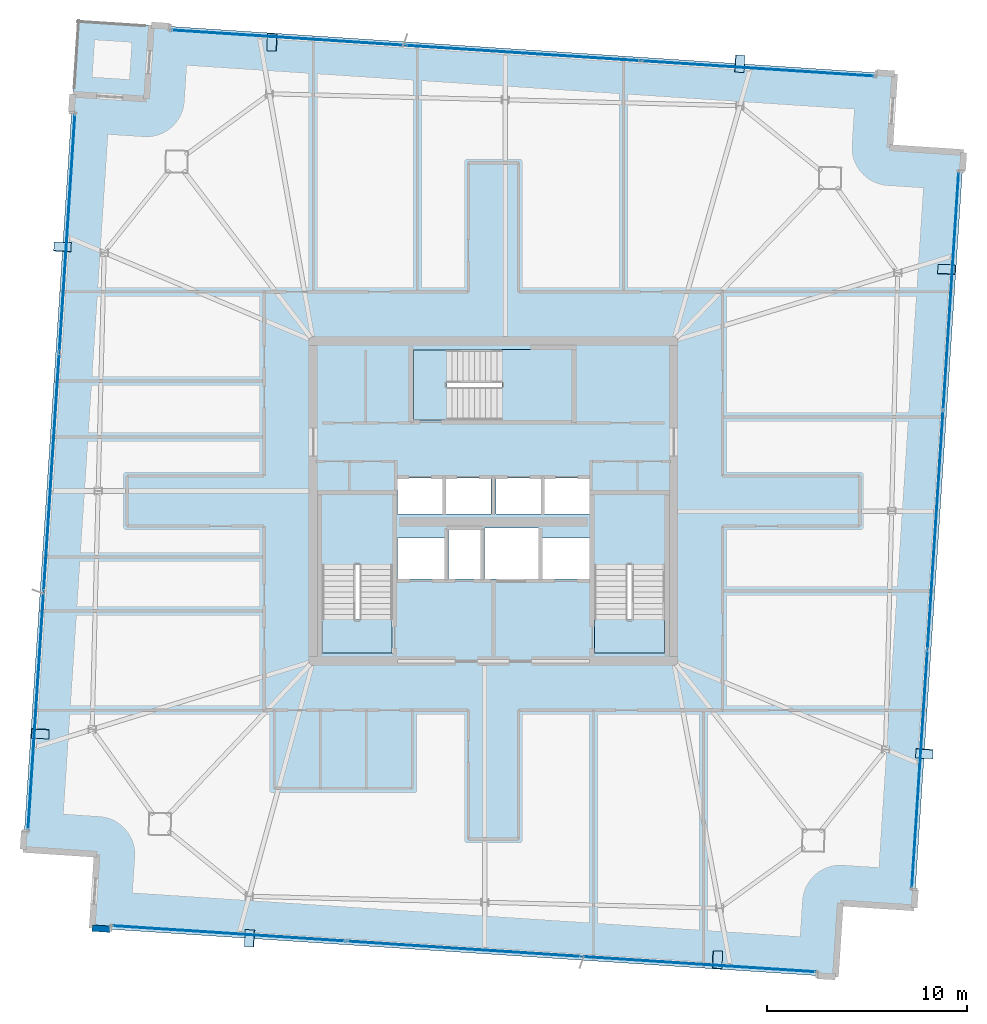
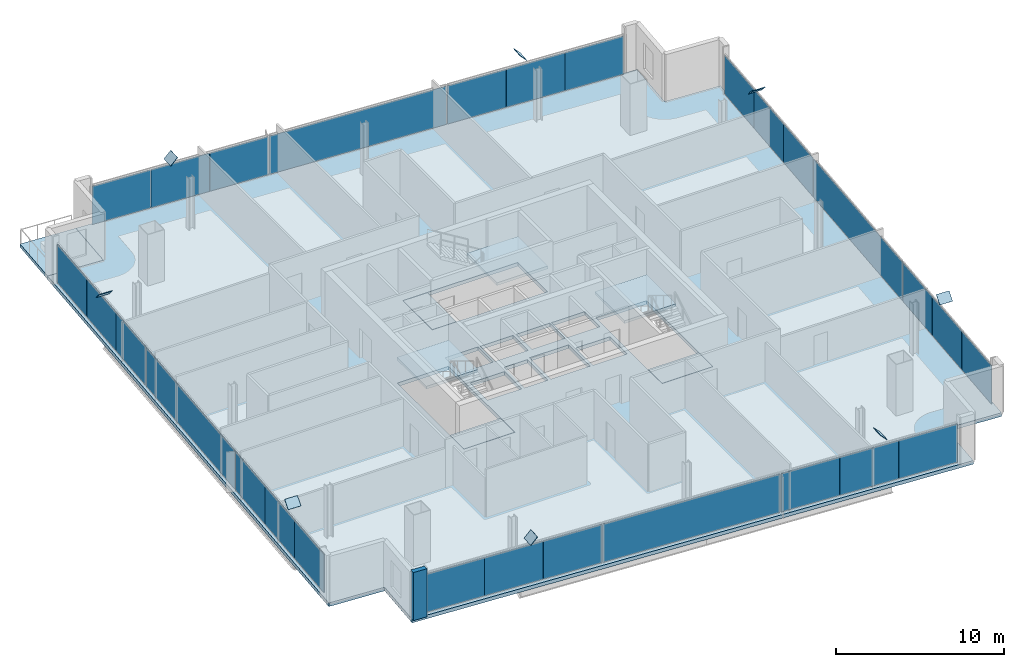
# One storey, part 17 of 24: 36 plates, 8 slabs, 1 wall, 7 elements without a shape of their own.
"""IFC4 building model written with IfcOpenShell, lengths in metres."""

import ifcopenshell
import ifcopenshell.guid

model = None  # the IFC model being written
_history = None  # IfcOwnerHistory: only IFC2X3 demands one
_inside = {}  # id of a spatial element -> (the spatial element, [elements in it])
_under = {}  # id of a project, library or spatial element -> (it, [spatial elements below it])
_declared = {}  # id of a project -> (the project, [libraries it declares])
_typed = {}  # id of a type object -> (the type object, [elements of that type])
_made_of = {}  # id of a material, layer set ... -> (it, [elements and type objects made of it])


def new_model(schema):
    """Start an empty IFC model of exactly this schema.

    Asked for "IFC4X3", IfcOpenShell would pick the latest addendum, in which some entities
    have other attributes; the version numbers below select the first issue.
    IFC2X3 requires an IfcOwnerHistory on every rooted entity: one is made here for all.
    """
    global model, _history
    if schema == "IFC4X3":
        model = ifcopenshell.file(schema_version=(4, 3, 0, 0))
    else:
        model = ifcopenshell.file(schema=schema)
    _inside.clear()
    _under.clear()
    _declared.clear()
    _typed.clear()
    _made_of.clear()
    _history = None
    if model.schema == "IFC2X3":
        org = make("IfcOrganization", Name="unknown")
        user = make(
            "IfcPersonAndOrganization",
            ThePerson=make("IfcPerson", FamilyName="unknown"),
            TheOrganization=org,
        )
        app = make(
            "IfcApplication",
            ApplicationDeveloper=org,
            Version="unknown",
            ApplicationFullName="unknown",
            ApplicationIdentifier="unknown",
        )
        _history = make(
            "IfcOwnerHistory",
            OwningUser=user,
            OwningApplication=app,
            ChangeAction="ADDED",
            CreationDate=0,
        )
    return model


def make(cls, **values):
    """One entity of the class cls with the attributes given. An attribute that is None is left unset."""
    return model.create_entity(
        cls, **{name: value for name, value in values.items() if value is not None}
    )


def rooted(cls, **values):
    """An entity with a GlobalId (a new one), such as an element, a storey or a relation."""
    return make(cls, GlobalId=ifcopenshell.guid.new(), OwnerHistory=_history, **values)


def si_unit(unit_type, name, prefix=None):
    """IfcSIUnit, for example si_unit("LENGTHUNIT", "METRE", prefix="MILLI")."""
    return make("IfcSIUnit", UnitType=unit_type, Prefix=prefix, Name=name)


def assignment(units):
    """IfcUnitAssignment: the units of a project."""
    return None if units is None else make("IfcUnitAssignment", Units=units)


def point(xyz):
    """IfcCartesianPoint."""
    return None if xyz is None else make("IfcCartesianPoint", Coordinates=xyz)


def direction(xyz):
    """IfcDirection."""
    return None if xyz is None else make("IfcDirection", DirectionRatios=xyz)


def frame(location, z_axis=None, x_axis=None):
    """IfcAxis2Placement3D, a coordinate frame: its origin and axes. An axis left out is left unset."""
    return make(
        "IfcAxis2Placement3D",
        Location=point(location),
        Axis=direction(z_axis),
        RefDirection=direction(x_axis),
    )


def frame_2d(location, x_axis=None):
    """IfcAxis2Placement2D, a coordinate frame in the plane: its origin and x axis."""
    return make(
        "IfcAxis2Placement2D", Location=point(location), RefDirection=direction(x_axis)
    )


def origin():
    """The frame at (0, 0, 0) with its axes left unset."""
    return frame((0.0, 0.0, 0.0))


def origin_2d():
    """The frame at (0, 0) in the plane with its x axis left unset."""
    return frame_2d((0.0, 0.0))


def place(relative_to, where):
    """IfcLocalPlacement: puts the frame where relative to a parent placement (None: the world)."""
    return make(
        "IfcLocalPlacement", PlacementRelTo=relative_to, RelativePlacement=where
    )


def context(
    kind, dimensions, precision=None, world=None, true_north=None, identifier=None
):
    """IfcGeometricRepresentationContext, for example the 3D "Model" context."""
    return make(
        "IfcGeometricRepresentationContext",
        ContextIdentifier=identifier,
        ContextType=kind,
        CoordinateSpaceDimension=dimensions,
        Precision=precision,
        WorldCoordinateSystem=world,
        TrueNorth=true_north,
    )


def subcontext(parent, identifier, kind, view, scale=None):
    """IfcGeometricRepresentationSubContext, for example "Body" below "Model"."""
    return make(
        "IfcGeometricRepresentationSubContext",
        ContextIdentifier=identifier,
        ContextType=kind,
        ParentContext=parent,
        TargetScale=scale,
        TargetView=view,
    )


def project(units=None, contexts=None):
    """IfcProject with its units and contexts."""
    return rooted(
        "IfcProject",
        Name="project",
        RepresentationContexts=contexts,
        UnitsInContext=assignment(units),
    )


def spatial(cls, under=None, at=None, **own):
    """A site, building, storey or space (cls), placed at a placement, below another one or the project."""
    s = rooted(cls, ObjectPlacement=at, **own)
    if under is not None:
        _under.setdefault(under.id(), (under, []))[1].append(s)
    return s


def polyline(points):
    """IfcPolyline through the points."""
    return make("IfcPolyline", Points=[point(p) for p in points])


def profile(cls, at=None, kind="AREA", **sizes):
    """A parametric profile (cls). Its sizes go by their IFC names, for example OverallWidth=200.0."""
    return make(cls, ProfileType=kind, Position=at, **sizes)


def rectangle(**sizes):
    """IfcRectangleProfileDef."""
    return profile("IfcRectangleProfileDef", **sizes)


def outline(outer, holes=None, kind="AREA"):
    """IfcArbitraryClosedProfileDef: a profile drawn as a closed curve; with holes, ...WithVoids."""
    if holes is None:
        return make("IfcArbitraryClosedProfileDef", ProfileType=kind, OuterCurve=outer)
    return make(
        "IfcArbitraryProfileDefWithVoids",
        ProfileType=kind,
        OuterCurve=outer,
        InnerCurves=holes,
    )


def extrude(swept, where, along, depth):
    """IfcExtrudedAreaSolid: the profile swept, set in the frame where, extruded along a direction by depth."""
    return make(
        "IfcExtrudedAreaSolid",
        SweptArea=swept,
        Position=where,
        ExtrudedDirection=direction(along),
        Depth=depth,
    )


def shape(context_of_items, identifier, shape_type, items):
    """IfcShapeRepresentation: the items that make up one representation, for example the "Body"."""
    return make(
        "IfcShapeRepresentation",
        ContextOfItems=context_of_items,
        RepresentationIdentifier=identifier,
        RepresentationType=shape_type,
        Items=items,
    )


def source(mapping_origin, context_of_items, identifier, shape_type, items):
    """IfcRepresentationMap: a shape defined once, which mapped items show again and again."""
    return make(
        "IfcRepresentationMap",
        MappingOrigin=mapping_origin,
        MappedRepresentation=shape(context_of_items, identifier, shape_type, items),
    )


def transform(
    local_origin,
    x_axis=None,
    y_axis=None,
    z_axis=None,
    scale=None,
    scale2=None,
    scale3=None,
    uniform=True,
):
    """IfcCartesianTransformationOperator3D, or its non-uniform kind. x_axis, y_axis, z_axis: its Axis1, 2, 3."""
    if uniform:
        return make(
            "IfcCartesianTransformationOperator3D",
            Axis1=direction(x_axis),
            Axis2=direction(y_axis),
            LocalOrigin=point(local_origin),
            Scale=scale,
            Axis3=direction(z_axis),
        )
    return make(
        "IfcCartesianTransformationOperator3DnonUniform",
        Axis1=direction(x_axis),
        Axis2=direction(y_axis),
        LocalOrigin=point(local_origin),
        Scale=scale,
        Axis3=direction(z_axis),
        Scale2=scale2,
        Scale3=scale3,
    )


def mapped(mapping_source, mapping_target):
    """IfcMappedItem: shows the shape of a source again, moved by a transform."""
    return make(
        "IfcMappedItem", MappingSource=mapping_source, MappingTarget=mapping_target
    )


def material(Name=None, Category=None):
    """IfcMaterial."""
    return make("IfcMaterial", Name=Name, Category=Category)


def layer(
    of_material, thickness, ventilated=None, Name=None, Category=None, Priority=None
):
    """IfcMaterialLayer: one layer of a wall or slab, of a material (None: an air gap)."""
    return make(
        "IfcMaterialLayer",
        Material=of_material,
        LayerThickness=thickness,
        IsVentilated=ventilated,
        Name=Name,
        Category=Category,
        Priority=Priority,
    )


def layer_set(layers, Name=None):
    """IfcMaterialLayerSet."""
    return make("IfcMaterialLayerSet", MaterialLayers=layers, LayerSetName=Name)


def made_of(thing, what):
    """Note that an element or type object is made of a material, layer set ...; save() writes the relation."""
    if what is not None:
        _made_of.setdefault(what.id(), (what, []))[1].append(thing)
    return thing


def type_object(cls, material=None, **own):
    """A type object (cls), such as IfcWallType, which elements share."""
    return made_of(rooted(cls, **own), material)


def element(
    cls,
    number,
    at=None,
    inside=None,
    cuts=None,
    type_object=None,
    material=None,
    context=None,
    identifier="Body",
    shape_type=None,
    held_by="IfcProductDefinitionShape",
    body=None,
    shapes=None,
    **own,
):
    """One element of the class cls, such as IfcWall. Its Tag is "e" and its number.

    at: its placement. inside: the storey or other place that contains it. cuts: it is an
    opening in that element (IfcRelVoidsElement). A single representation is given by context,
    identifier, shape_type and body (its items); several are given by shapes. held_by: the class
    of the entity that holds the representations. save() writes the other relations.
    """
    e = rooted(cls, Tag="e%d" % number, ObjectPlacement=at, **own)
    if body is not None:
        shapes = [shape(context, identifier, shape_type, body)]
    if shapes is not None:
        e.Representation = make(held_by, Representations=shapes)
    if inside is not None:
        _inside.setdefault(inside.id(), (inside, []))[1].append(e)
    if cuts is not None:
        rooted(
            "IfcRelVoidsElement", RelatingBuildingElement=cuts, RelatedOpeningElement=e
        )
    if type_object is not None:
        _typed.setdefault(type_object.id(), (type_object, []))[1].append(e)
    return made_of(e, material)


def aggregate(whole, parts):
    """IfcRelAggregates: a whole, such as a stair, and the parts it consists of."""
    return rooted("IfcRelAggregates", RelatingObject=whole, RelatedObjects=parts)


def save(model, path):
    """Write the relations noted so far, then the file.

    IfcRelAggregates (storeys below a building ...), IfcRelContainedInSpatialStructure (elements
    in a storey), IfcRelDefinesByType, IfcRelAssociatesMaterial and IfcRelDeclares: one each for
    every whole, place, type object, material and project.
    """
    for whole, parts in _under.values():
        aggregate(whole, parts)
    for where, things in _inside.values():
        rooted(
            "IfcRelContainedInSpatialStructure",
            RelatedElements=things,
            RelatingStructure=where,
        )
    for kind, things in _typed.values():
        rooted("IfcRelDefinesByType", RelatedObjects=things, RelatingType=kind)
    for what, things in _made_of.values():
        rooted("IfcRelAssociatesMaterial", RelatedObjects=things, RelatingMaterial=what)
    for by, libraries in _declared.values():
        rooted("IfcRelDeclares", RelatingContext=by, RelatedDefinitions=libraries)
    model.write(path)


model = new_model("IFC4")

# Units and contexts
model_context = context("Model", 3, precision=1e-05, world=origin(), true_north=direction((0.0, 1.0)))
body_context = subcontext(model_context, "Body", "Model", "MODEL_VIEW")
ifc_project = project(units=[si_unit("LENGTHUNIT", "METRE"), si_unit("AREAUNIT", "SQUARE_METRE"), si_unit("VOLUMEUNIT", "CUBIC_METRE"), si_unit("PLANEANGLEUNIT", "RADIAN"), si_unit("MASSUNIT", "GRAM", prefix="KILO")], contexts=[model_context])

# Site, building, storey
site_placement = place(None, origin())
site = spatial("IfcSite", under=ifc_project, at=site_placement, CompositionType="ELEMENT")
building_placement = place(site_placement, origin())
building = spatial("IfcBuilding", under=site, at=building_placement, Name="Haldenkirk Collegiate Tower", CompositionType="ELEMENT")
storey_placement = place(building_placement, frame((0.0, 0.0, 317.699951171875)))
storey = spatial("IfcBuildingStorey", under=building, at=storey_placement, Name="L80", CompositionType="ELEMENT", Elevation=317.699951171875)

# Slab
ifc_material_1 = material(Name="Concrete f'c 40 MPa", Category="concrete")
ifc_layer_1 = layer(ifc_material_1, 0.260009765625)
ifc_layer_set_1 = layer_set([ifc_layer_1], Name="Concrete f'c 40 MPa")
slab_type_1 = type_object("IfcSlabType", Name="SLB-FLR-260", PredefinedType="FLOOR", material=ifc_layer_set_1)
slab_1_placement = place(storey_placement, frame((0.0, 0.0, -0.260009765625)))
element("IfcSlab", 1, at=slab_1_placement, inside=storey, type_object=slab_type_1, Name="L80 composite structural floor slab", PredefinedType="FLOOR", context=body_context, shape_type="SweptSolid", body=[
    extrude(outline(polyline([(57.01611328125, 5.681884765625), (59.48828125, 43.40087890625), (55.79638671875, 43.64306640625), (56.038330078125, 47.335205078125), (18.91796875, 49.76806640625), (18.67578125, 46.075927734375), (14.98388671875, 46.318115234375), (12.51171875, 8.59912109375), (16.20361328125, 8.35693359375), (15.961669921875, 4.664794921875), (53.08203125, 2.23193359375), (53.32421875, 5.924072265625), (57.01611328125, 5.681884765625)]), holes=[polyline([(27.449951171875, 18.39990234375), (30.949951171875, 18.39990234375), (30.949951171875, 26.300048828125), (27.449951171875, 26.300048828125), (27.449951171875, 18.39990234375)]), polyline([(41.050048828125, 18.39990234375), (44.550048828125, 18.39990234375), (44.550048828125, 26.300048828125), (41.050048828125, 26.300048828125), (41.050048828125, 18.39990234375)]), polyline([(32.0, 30.050048828125), (39.89990234375, 30.050048828125), (39.89990234375, 33.550048828125), (32.0, 33.550048828125), (32.0, 30.050048828125)]), polyline([(33.75, 22.10009765625), (35.35009765625, 22.10009765625), (35.35009765625, 24.550048828125), (33.75, 24.550048828125), (33.75, 22.10009765625)]), polyline([(31.199951171875, 25.35009765625), (33.47998046875, 25.35009765625), (33.47998046875, 27.14990234375), (31.199951171875, 27.14990234375), (31.199951171875, 25.35009765625)]), polyline([(33.60009765625, 25.35009765625), (35.8798828125, 25.35009765625), (35.8798828125, 27.14990234375), (33.60009765625, 27.14990234375), (33.60009765625, 25.35009765625)]), polyline([(36.1201171875, 25.35009765625), (38.39990234375, 25.35009765625), (38.39990234375, 27.14990234375), (36.1201171875, 27.14990234375), (36.1201171875, 25.35009765625)]), polyline([(38.52001953125, 25.35009765625), (40.800048828125, 25.35009765625), (40.800048828125, 27.14990234375), (38.52001953125, 27.14990234375), (38.52001953125, 25.35009765625)]), polyline([(31.199951171875, 22.10009765625), (33.550048828125, 22.10009765625), (33.550048828125, 24.14990234375), (31.199951171875, 24.14990234375), (31.199951171875, 22.10009765625)]), polyline([(38.449951171875, 22.10009765625), (40.800048828125, 22.10009765625), (40.800048828125, 24.14990234375), (38.449951171875, 24.14990234375), (38.449951171875, 22.10009765625)]), polyline([(35.550048828125, 22.10009765625), (38.25, 22.10009765625), (38.25, 24.64990234375), (35.550048828125, 24.64990234375), (35.550048828125, 22.10009765625)])]), origin(), (0.0, 0.0, 1.0), 0.260009765625),
])

# Stair, slab
stair_type = type_object("IfcStairType", Name="STR-DOGLEG-1650", PredefinedType="HALF_TURN_STAIR", material=ifc_material_1)
stair_1_placement = place(storey_placement, origin())
stair_1 = element("IfcStair", 2, at=stair_1_placement, inside=storey, type_object=stair_type, Name="L80 Core Exit Stair ST-1", PredefinedType="HALF_TURN_STAIR")
ifc_layer_2 = layer(ifc_material_1, 0.199951171875)
ifc_layer_set_2 = layer_set([ifc_layer_2], Name="Concrete f'c 40 MPa")
slab_type_2 = type_object("IfcSlabType", Name="SLB-LANDING-200", PredefinedType="LANDING", material=ifc_layer_set_2)
slab_2_placement = place(storey_placement, frame((0.0, 0.0, 1.675048828125)))
slab_2 = element("IfcSlab", 3, at=slab_2_placement, type_object=slab_type_2, Name="ST-1 landing 1", PredefinedType="LANDING", context=body_context, shape_type="SweptSolid", body=[
    extrude(outline(polyline([(30.97509765625, 22.824951171875), (27.425048828125, 22.824951171875), (27.425048828125, 26.324951171875), (30.97509765625, 26.324951171875), (30.97509765625, 22.824951171875)])), origin(), (0.0, 0.0, 1.0), 0.199951171875),
])
aggregate(stair_1, [slab_2])

stair_2_placement = place(storey_placement, origin())
stair_2 = element("IfcStair", 4, at=stair_2_placement, inside=storey, type_object=stair_type, Name="L80 Core Exit Stair ST-2", PredefinedType="HALF_TURN_STAIR")
slab_3_placement = place(storey_placement, frame((0.0, 0.0, 1.675048828125)))
slab_3 = element("IfcSlab", 5, at=slab_3_placement, type_object=slab_type_2, Name="ST-2 landing 1", PredefinedType="LANDING", context=body_context, shape_type="SweptSolid", body=[
    extrude(outline(polyline([(44.574951171875, 22.824951171875), (41.02490234375, 22.824951171875), (41.02490234375, 26.324951171875), (44.574951171875, 26.324951171875), (44.574951171875, 22.824951171875)])), origin(), (0.0, 0.0, 1.0), 0.199951171875),
])
aggregate(stair_2, [slab_3])

stair_3_placement = place(storey_placement, origin())
stair_3 = element("IfcStair", 6, at=stair_3_placement, inside=storey, type_object=stair_type, Name="L80 Core Exit Stair ST-3", PredefinedType="HALF_TURN_STAIR")
slab_4_placement = place(storey_placement, frame((0.0, 0.0, 1.675048828125)))
slab_4 = element("IfcSlab", 7, at=slab_4_placement, type_object=slab_type_2, Name="ST-3 landing 1", PredefinedType="LANDING", context=body_context, shape_type="SweptSolid", body=[
    extrude(outline(polyline([(36.425048828125, 30.02490234375), (36.425048828125, 33.574951171875), (39.925048828125, 33.574951171875), (39.925048828125, 30.02490234375), (36.425048828125, 30.02490234375)])), origin(), (0.0, 0.0, 1.0), 0.199951171875),
])
aggregate(stair_3, [slab_4])

# Slabs
ifc_layer_3 = layer(ifc_material_1, 0.25)
ifc_layer_set_3 = layer_set([ifc_layer_3], Name="Concrete f'c 40 MPa")
slab_type_3 = type_object("IfcSlabType", Name="SLB-STAIRLAND-250", PredefinedType="LANDING", material=ifc_layer_set_3)
slab_5_placement = place(storey_placement, frame((0.0, 0.0, -0.25)))
element("IfcSlab", 8, at=slab_5_placement, inside=storey, type_object=slab_type_3, Name="L80 stair ST1 structural floor landing slab", PredefinedType="LANDING", context=body_context, shape_type="SweptSolid", body=[
    extrude(outline(polyline([(27.4599609375, 18.409912109375), (30.93994140625, 18.409912109375), (30.93994140625, 20.080078125), (27.4599609375, 20.080078125), (27.4599609375, 18.409912109375)])), origin(), (0.0, 0.0, 1.0), 0.25),
])
slab_6_placement = place(storey_placement, frame((0.0, 0.0, -0.25)))
element("IfcSlab", 9, at=slab_6_placement, inside=storey, type_object=slab_type_3, Name="L80 stair ST2 structural floor landing slab", PredefinedType="LANDING", context=body_context, shape_type="SweptSolid", body=[
    extrude(outline(polyline([(41.06005859375, 18.409912109375), (44.5400390625, 18.409912109375), (44.5400390625, 20.080078125), (41.06005859375, 20.080078125), (41.06005859375, 18.409912109375)])), origin(), (0.0, 0.0, 1.0), 0.25),
])
slab_7_placement = place(storey_placement, frame((0.0, 0.0, -0.25)))
element("IfcSlab", 10, at=slab_7_placement, inside=storey, type_object=slab_type_3, Name="L80 stair ST3 structural floor landing slab", PredefinedType="LANDING", context=body_context, shape_type="SweptSolid", body=[
    extrude(outline(polyline([(32.010009765625, 30.06005859375), (33.679931640625, 30.06005859375), (33.679931640625, 33.5400390625), (32.010009765625, 33.5400390625), (32.010009765625, 30.06005859375)])), origin(), (0.0, 0.0, 1.0), 0.25),
])
ifc_layer_4 = layer(ifc_material_1, 0.22998046875)
ifc_layer_set_4 = layer_set([ifc_layer_4], Name="Concrete f'c 40 MPa")
slab_type_4 = type_object("IfcSlabType", Name="SLB-TERR-SPIRAL-230", PredefinedType="FLOOR", material=ifc_layer_set_4)
slab_8_placement = place(storey_placement, frame((0.0, 0.0, -0.22998046875)))
element("IfcSlab", 11, at=slab_8_placement, inside=storey, type_object=slab_type_4, Name="L80 spiralling corner terrace slab", PredefinedType="FLOOR", context=body_context, shape_type="SweptSolid", body=[
    extrude(outline(polyline([(18.67578125, 46.075927734375), (18.91796875, 49.76806640625), (15.225830078125, 50.010009765625), (14.98388671875, 46.318115234375), (18.67578125, 46.075927734375)])), origin(), (0.0, 0.0, 1.0), 0.22998046875),
])

# Plates
ifc_material_2 = material(Name="Steel ASTM A572 Grade 50", Category="steel")
ifc_layer_5 = layer(ifc_material_2, 0.034912109375)
ifc_layer_set_5 = layer_set([ifc_layer_5], Name="Steel ASTM A572 Grade 50")
plate_type_1 = type_object("IfcPlateType", Name="PLT-CAP-EXT-760X600", PredefinedType="USERDEFINED", material=ifc_layer_set_5)
shared_shape_1 = source(origin(), body_context, "Body", "SweptSolid", [
    extrude(rectangle(XDim=0.860107421875, YDim=0.659912109375, at=origin_2d()), origin(), (0.0, 0.0, 1.0), 0.034912109375),
])
for number, where, z_axis, x_axis, name in (
    (12, (57.530029296875, 13.389404296875, 3.47802734375), (-0.03865802177, -0.738894416101, 0.67271137883), (0.998634160975, -0.052247607927, -3.63628e-07), "Perimeter Mega Brace Z6 L78-L80 SL end cap plate 2"),
    (13, (58.62744140625, 37.555908203125, 3.47802734375), (0.02764099186, 0.723907786811, 0.689342796991), (-0.999271828484, 0.038155114964, 1.15542e-07), "Perimeter Mega Brace Z6 L78-L80 SR end cap plate 2"),
    (14, (48.29443359375, 47.844970703125, 3.47802734375), (0.724397769793, -0.037458988096, 0.688363781245), (0.051641742181, 0.998665675021, -2.28414e-07), "Perimeter Mega Brace Z6 L78-L80 EL end cap plate 2"),
    (15, (24.95263671875, 48.90478515625, 3.47802734375), (-0.714772950673, 0.02782199808, 0.698802951775), (-0.038894411914, -0.999243326083, 3.89711e-07), "Perimeter Mega Brace Z6 L78-L80 ER end cap plate 2"),
    (16, (14.472900390625, 38.679443359375, 3.47802734375), (0.038739984542, 0.740801704405, 0.670605732415), (-0.99863541505, 0.052223632651, -3.51228e-07), "Perimeter Mega Brace Z6 L78-L80 NL end cap plate 2"),
    (17, (13.36962890625, 14.382080078125, 3.47802734375), (-0.027720004507, -0.725653117986, 0.687502111783), (0.999271178758, -0.03817212732, 1.13991e-07), "Perimeter Mega Brace Z6 L78-L80 NR end cap plate 2"),
    (18, (23.831787109375, 4.1494140625, 3.47802734375), (-0.724471098278, 0.037943005147, 0.688260093366), (-0.052301852505, -0.998631321472, -1.55691e-07), "Perimeter Mega Brace Z6 L78-L80 WL end cap plate 2"),
    (19, (47.178466796875, 3.08935546875, 3.47802734375), (0.714837189765, -0.027342007258, 0.698756185496), (0.038221174862, 0.999269303938, 1.59331e-07), "Perimeter Mega Brace Z6 L78-L80 WR end cap plate 2"),
):
    element("IfcPlate", number, at=place(storey_placement, frame(where, z_axis=z_axis, x_axis=x_axis)), inside=storey, type_object=plate_type_1, Name=name, ObjectType="END CAP PLATE", PredefinedType="USERDEFINED", context=body_context, shape_type="MappedRepresentation", body=[
        mapped(shared_shape_1, transform((0.0, 0.0, 0.0), x_axis=(1.0, 0.0, 0.0), y_axis=(0.0, 1.0, 0.0), z_axis=(0.0, 0.0, 1.0), scale=1.0)),
    ])

# Curtain wall, plates
ifc_material_3 = material(Name="Anodised architectural bronze aluminium", Category="aluminium")
curtain_wall_type_1 = type_object("IfcCurtainWallType", Name="CW-SYS2-CONCAVE", PredefinedType="USERDEFINED", material=ifc_material_3)
curtain_wall_1_placement = place(storey_placement, origin())
curtain_wall_1 = element("IfcCurtainWall", 20, at=curtain_wall_1_placement, inside=storey, type_object=curtain_wall_type_1, Name="L80 South concave recessed bronze-anodised curtain wall", ObjectType="UNITISED CURTAIN WALL", PredefinedType="USERDEFINED")
ifc_material_4 = material(Name="Low-E argon triple insulating glass", Category="glass")
ifc_layer_6 = layer(ifc_material_4, 0.0419921875)
ifc_layer_set_6 = layer_set([ifc_layer_6], Name="Low-E argon triple insulating glass")
plate_type_2 = type_object("IfcPlateType", Name="CW-PNL-02", PredefinedType="CURTAIN_PANEL", material=ifc_layer_set_6)
shared_shape_2 = source(origin(), body_context, "Body", "SweptSolid", [
    extrude(rectangle(XDim=3.949951171875, YDim=0.0419921875, at=origin_2d()), origin(), (0.0, 0.0, 1.0), 2.798095703125),
])
plate_1_placement = place(storey_placement, frame((59.11572265625, 40.468994140625, 0.0751953125), z_axis=(0.0, 0.0, 1.0), x_axis=(-0.065402999064, -0.99785893177, 0.0)))
plate_1 = element("IfcPlate", 21, at=plate_1_placement, type_object=plate_type_2, Name="CW-02 panel 1.1a", PredefinedType="CURTAIN_PANEL", context=body_context, shape_type="MappedRepresentation", body=[
    mapped(shared_shape_2, transform((0.0, 0.0, 0.0), x_axis=(1.0, 0.0, 0.0), y_axis=(0.0, 1.0, 0.0), z_axis=(0.0, 0.0, 1.0), scale=1.0)),
])
ifc_material_5 = material(Name="Bronze-anodised insulated aluminium spandrel panel", Category="aluminium")
ifc_layer_7 = layer(ifc_material_5, 0.0419921875)
ifc_layer_set_7 = layer_set([ifc_layer_7], Name="Bronze-anodised insulated aluminium spandrel panel")
plate_type_3 = type_object("IfcPlateType", Name="CW-SPD-02", PredefinedType="CURTAIN_PANEL", material=ifc_layer_set_7)
plate_2_placement = place(storey_placement, frame((58.5966796875, 32.548583984375, 0.0751953125), z_axis=(0.0, 0.0, 1.0), x_axis=(-0.065402999064, -0.99785893177, 0.0)))
plate_2 = element("IfcPlate", 22, at=plate_2_placement, type_object=plate_type_3, Name="CW-02 spandrel panel 1.1c", PredefinedType="CURTAIN_PANEL", context=body_context, shape_type="MappedRepresentation", body=[
    mapped(shared_shape_2, transform((0.0, 0.0, 0.0), x_axis=(1.0, 0.0, 0.0), y_axis=(0.0, 1.0, 0.0), z_axis=(0.0, 0.0, 1.0), scale=1.0)),
])
plate_3_placement = place(storey_placement, frame((57.548583984375, 16.55810546875, 0.0751953125), z_axis=(0.0, 0.0, 1.0), x_axis=(-0.065402999064, -0.99785893177, 0.0)))
plate_3 = element("IfcPlate", 23, at=plate_3_placement, type_object=plate_type_3, Name="CW-02 spandrel panel 3.1a", PredefinedType="CURTAIN_PANEL", context=body_context, shape_type="MappedRepresentation", body=[
    mapped(shared_shape_2, transform((0.0, 0.0, 0.0), x_axis=(1.0, 0.0, 0.0), y_axis=(0.0, 1.0, 0.0), z_axis=(0.0, 0.0, 1.0), scale=1.0)),
])
plate_4_placement = place(storey_placement, frame((57.029541015625, 8.637451171875, 0.0751953125), z_axis=(0.0, 0.0, 1.0), x_axis=(-0.065402999064, -0.99785893177, 0.0)))
plate_4 = element("IfcPlate", 24, at=plate_4_placement, type_object=plate_type_2, Name="CW-02 panel 3.1c", PredefinedType="CURTAIN_PANEL", context=body_context, shape_type="MappedRepresentation", body=[
    mapped(shared_shape_2, transform((0.0, 0.0, 0.0), x_axis=(1.0, 0.0, 0.0), y_axis=(0.0, 1.0, 0.0), z_axis=(0.0, 0.0, 1.0), scale=1.0)),
])
shared_shape_3 = source(origin(), body_context, "Body", "SweptSolid", [
    extrude(rectangle(XDim=3.9375, YDim=0.0419921875, at=origin_2d()), origin(), (0.0, 0.0, 1.0), 2.798095703125),
])
plate_5_placement = place(storey_placement, frame((58.856201171875, 36.5087890625, 0.0751953125), z_axis=(0.0, 0.0, 1.0), x_axis=(-0.065402999064, -0.99785893177, 0.0)))
plate_5 = element("IfcPlate", 25, at=plate_5_placement, type_object=plate_type_3, Name="CW-02 spandrel panel 1.1b", PredefinedType="CURTAIN_PANEL", context=body_context, shape_type="MappedRepresentation", body=[
    mapped(shared_shape_3, transform((0.0, 0.0, 0.0), x_axis=(1.0, 0.0, 0.0), y_axis=(0.0, 1.0, 0.0), z_axis=(0.0, 0.0, 1.0), scale=1.0)),
])
plate_6_placement = place(storey_placement, frame((57.2890625, 12.59765625, 0.0751953125), z_axis=(0.0, 0.0, 1.0), x_axis=(-0.065402999064, -0.99785893177, 0.0)))
plate_6 = element("IfcPlate", 26, at=plate_6_placement, type_object=plate_type_3, Name="CW-02 spandrel panel 3.1b", PredefinedType="CURTAIN_PANEL", context=body_context, shape_type="MappedRepresentation", body=[
    mapped(shared_shape_3, transform((0.0, 0.0, 0.0), x_axis=(1.0, 0.0, 0.0), y_axis=(0.0, 1.0, 0.0), z_axis=(0.0, 0.0, 1.0), scale=1.0)),
])

curtain_wall_type_2 = type_object("IfcCurtainWallType", Name="CW-SYS1B-CONVEX-HI", PredefinedType="USERDEFINED", material=ifc_material_3)
curtain_wall_2_placement = place(storey_placement, origin())
curtain_wall_2 = element("IfcCurtainWall", 27, at=curtain_wall_2_placement, inside=storey, type_object=curtain_wall_type_2, Name="L80 Upper tower high-wind convex bronze unitised curtain wall", ObjectType="UNITISED CURTAIN WALL", PredefinedType="USERDEFINED")
ifc_layer_8 = layer(ifc_material_4, 0.048095703125)
ifc_layer_set_8 = layer_set([ifc_layer_8], Name="Low-E argon triple insulating glass")
plate_type_4 = type_object("IfcPlateType", Name="CW-PNL-1B", PredefinedType="CURTAIN_PANEL", material=ifc_layer_set_8)
shared_shape_4 = source(origin(), body_context, "Body", "SweptSolid", [
    extrude(rectangle(XDim=3.945068359375, YDim=0.048095703125, at=origin_2d()), origin(), (0.0, 0.0, 1.0), 2.778076171875),
])
plate_7_placement = place(storey_placement, frame((12.884765625, 11.538330078125, 0.0849609375), z_axis=(0.0, 0.0, 1.0), x_axis=(0.065402999064, 0.99785893177, 0.0)))
plate_7 = element("IfcPlate", 28, at=plate_7_placement, type_object=plate_type_4, Name="CW-1B panel 1.1a", PredefinedType="CURTAIN_PANEL", context=body_context, shape_type="MappedRepresentation", body=[
    mapped(shared_shape_4, transform((0.0, 0.0, 0.0), x_axis=(1.0, 0.0, 0.0), y_axis=(0.0, 1.0, 0.0), z_axis=(0.0, 0.0, 1.0), scale=1.0)),
])
ifc_layer_9 = layer(ifc_material_5, 0.048095703125)
ifc_layer_set_9 = layer_set([ifc_layer_9], Name="Bronze-anodised insulated aluminium spandrel panel")
plate_type_5 = type_object("IfcPlateType", Name="CW-SPD-1B", PredefinedType="CURTAIN_PANEL", material=ifc_layer_set_9)
plate_8_placement = place(storey_placement, frame((13.403076171875, 19.448974609375, 0.0849609375), z_axis=(0.0, 0.0, 1.0), x_axis=(0.065402999064, 0.99785893177, 0.0)))
plate_8 = element("IfcPlate", 29, at=plate_8_placement, type_object=plate_type_5, Name="CW-1B spandrel panel 1.1c", PredefinedType="CURTAIN_PANEL", context=body_context, shape_type="MappedRepresentation", body=[
    mapped(shared_shape_4, transform((0.0, 0.0, 0.0), x_axis=(1.0, 0.0, 0.0), y_axis=(0.0, 1.0, 0.0), z_axis=(0.0, 0.0, 1.0), scale=1.0)),
])
plate_9_placement = place(storey_placement, frame((14.45166015625, 35.444580078125, 0.0849609375), z_axis=(0.0, 0.0, 1.0), x_axis=(0.065402999064, 0.99785893177, 0.0)))
plate_9 = element("IfcPlate", 30, at=plate_9_placement, type_object=plate_type_5, Name="CW-1B spandrel panel 3.1a", PredefinedType="CURTAIN_PANEL", context=body_context, shape_type="MappedRepresentation", body=[
    mapped(shared_shape_4, transform((0.0, 0.0, 0.0), x_axis=(1.0, 0.0, 0.0), y_axis=(0.0, 1.0, 0.0), z_axis=(0.0, 0.0, 1.0), scale=1.0)),
])
plate_10_placement = place(storey_placement, frame((14.969970703125, 43.35498046875, 0.0849609375), z_axis=(0.0, 0.0, 1.0), x_axis=(0.065402999064, 0.99785893177, 0.0)))
plate_10 = element("IfcPlate", 31, at=plate_10_placement, type_object=plate_type_4, Name="CW-1B panel 3.1c", PredefinedType="CURTAIN_PANEL", context=body_context, shape_type="MappedRepresentation", body=[
    mapped(shared_shape_4, transform((0.0, 0.0, 0.0), x_axis=(1.0, 0.0, 0.0), y_axis=(0.0, 1.0, 0.0), z_axis=(0.0, 0.0, 1.0), scale=1.0)),
])
shared_shape_5 = source(origin(), body_context, "Body", "SweptSolid", [
    extrude(rectangle(XDim=3.9326171875, YDim=0.048095703125, at=origin_2d()), origin(), (0.0, 0.0, 1.0), 2.778076171875),
])
plate_11_placement = place(storey_placement, frame((13.143798828125, 15.49365234375, 0.0849609375), z_axis=(0.0, 0.0, 1.0), x_axis=(0.065402999064, 0.99785893177, 0.0)))
plate_11 = element("IfcPlate", 32, at=plate_11_placement, type_object=plate_type_5, Name="CW-1B spandrel panel 1.1b", PredefinedType="CURTAIN_PANEL", context=body_context, shape_type="MappedRepresentation", body=[
    mapped(shared_shape_5, transform((0.0, 0.0, 0.0), x_axis=(1.0, 0.0, 0.0), y_axis=(0.0, 1.0, 0.0), z_axis=(0.0, 0.0, 1.0), scale=1.0)),
])
plate_12_placement = place(storey_placement, frame((14.710693359375, 39.39990234375, 0.0849609375), z_axis=(0.0, 0.0, 1.0), x_axis=(0.065402999064, 0.99785893177, 0.0)))
plate_12 = element("IfcPlate", 33, at=plate_12_placement, type_object=plate_type_5, Name="CW-1B spandrel panel 3.1b", PredefinedType="CURTAIN_PANEL", context=body_context, shape_type="MappedRepresentation", body=[
    mapped(shared_shape_5, transform((0.0, 0.0, 0.0), x_axis=(1.0, 0.0, 0.0), y_axis=(0.0, 1.0, 0.0), z_axis=(0.0, 0.0, 1.0), scale=1.0)),
])

curtain_wall_3_placement = place(storey_placement, origin())
curtain_wall_3 = element("IfcCurtainWall", 34, at=curtain_wall_3_placement, inside=storey, type_object=curtain_wall_type_2, Name="L80 Upper tower high-wind convex bronze unitised curtain wall", ObjectType="UNITISED CURTAIN WALL", PredefinedType="USERDEFINED")
shared_shape_6 = source(origin(), body_context, "Body", "SweptSolid", [
    extrude(rectangle(XDim=3.87841796875, YDim=0.048095703125, at=origin_2d()), origin(), (0.0, 0.0, 1.0), 2.778076171875),
])
plate_13_placement = place(storey_placement, frame((21.823974609375, 49.397216796875, 0.0849609375), z_axis=(0.0, 0.0, 1.0), x_axis=(0.997859053006, -0.065401149336, 0.0)))
plate_13 = element("IfcPlate", 35, at=plate_13_placement, type_object=plate_type_4, Name="CW-1B panel 1.1a", PredefinedType="CURTAIN_PANEL", context=body_context, shape_type="MappedRepresentation", body=[
    mapped(shared_shape_6, transform((0.0, 0.0, 0.0), x_axis=(1.0, 0.0, 0.0), y_axis=(0.0, 1.0, 0.0), z_axis=(0.0, 0.0, 1.0), scale=1.0)),
])
plate_14_placement = place(storey_placement, frame((29.6015625, 48.887451171875, 0.0849609375), z_axis=(0.0, 0.0, 1.0), x_axis=(0.997859053006, -0.065401149336, 0.0)))
plate_14 = element("IfcPlate", 36, at=plate_14_placement, type_object=plate_type_5, Name="CW-1B spandrel panel 1.1c", PredefinedType="CURTAIN_PANEL", context=body_context, shape_type="MappedRepresentation", body=[
    mapped(shared_shape_6, transform((0.0, 0.0, 0.0), x_axis=(1.0, 0.0, 0.0), y_axis=(0.0, 1.0, 0.0), z_axis=(0.0, 0.0, 1.0), scale=1.0)),
])
plate_15_placement = place(storey_placement, frame((45.3310546875, 47.8564453125, 0.0849609375), z_axis=(0.0, 0.0, 1.0), x_axis=(0.997859053006, -0.065401149336, 0.0)))
plate_15 = element("IfcPlate", 37, at=plate_15_placement, type_object=plate_type_5, Name="CW-1B spandrel panel 3.1a", PredefinedType="CURTAIN_PANEL", context=body_context, shape_type="MappedRepresentation", body=[
    mapped(shared_shape_6, transform((0.0, 0.0, 0.0), x_axis=(1.0, 0.0, 0.0), y_axis=(0.0, 1.0, 0.0), z_axis=(0.0, 0.0, 1.0), scale=1.0)),
])
plate_16_placement = place(storey_placement, frame((53.108642578125, 47.3466796875, 0.0849609375), z_axis=(0.0, 0.0, 1.0), x_axis=(0.997859053006, -0.065401149336, 0.0)))
plate_16 = element("IfcPlate", 38, at=plate_16_placement, type_object=plate_type_4, Name="CW-1B panel 3.1c", PredefinedType="CURTAIN_PANEL", context=body_context, shape_type="MappedRepresentation", body=[
    mapped(shared_shape_6, transform((0.0, 0.0, 0.0), x_axis=(1.0, 0.0, 0.0), y_axis=(0.0, 1.0, 0.0), z_axis=(0.0, 0.0, 1.0), scale=1.0)),
])

curtain_wall_4_placement = place(storey_placement, origin())
curtain_wall_4 = element("IfcCurtainWall", 39, at=curtain_wall_4_placement, inside=storey, type_object=curtain_wall_type_2, Name="L80 Upper tower high-wind convex bronze unitised curtain wall", ObjectType="UNITISED CURTAIN WALL", PredefinedType="USERDEFINED")
plate_17_placement = place(storey_placement, frame((50.176025390625, 2.602783203125, 0.0849609375), z_axis=(0.0, 0.0, 1.0), x_axis=(-0.997859053006, 0.065401149336, 0.0)))
plate_17 = element("IfcPlate", 40, at=plate_17_placement, type_object=plate_type_4, Name="CW-1B panel 1.1a", PredefinedType="CURTAIN_PANEL", context=body_context, shape_type="MappedRepresentation", body=[
    mapped(shared_shape_6, transform((0.0, 0.0, 0.0), x_axis=(1.0, 0.0, 0.0), y_axis=(0.0, 1.0, 0.0), z_axis=(0.0, 0.0, 1.0), scale=1.0)),
])
plate_18_placement = place(storey_placement, frame((42.3984375, 3.112548828125, 0.0849609375), z_axis=(0.0, 0.0, 1.0), x_axis=(-0.997859053006, 0.065401149336, 0.0)))
plate_18 = element("IfcPlate", 41, at=plate_18_placement, type_object=plate_type_5, Name="CW-1B spandrel panel 1.1c", PredefinedType="CURTAIN_PANEL", context=body_context, shape_type="MappedRepresentation", body=[
    mapped(shared_shape_6, transform((0.0, 0.0, 0.0), x_axis=(1.0, 0.0, 0.0), y_axis=(0.0, 1.0, 0.0), z_axis=(0.0, 0.0, 1.0), scale=1.0)),
])
plate_19_placement = place(storey_placement, frame((26.6689453125, 4.1435546875, 0.0849609375), z_axis=(0.0, 0.0, 1.0), x_axis=(-0.997859053006, 0.065401149336, 0.0)))
plate_19 = element("IfcPlate", 42, at=plate_19_placement, type_object=plate_type_5, Name="CW-1B spandrel panel 3.1a", PredefinedType="CURTAIN_PANEL", context=body_context, shape_type="MappedRepresentation", body=[
    mapped(shared_shape_6, transform((0.0, 0.0, 0.0), x_axis=(1.0, 0.0, 0.0), y_axis=(0.0, 1.0, 0.0), z_axis=(0.0, 0.0, 1.0), scale=1.0)),
])
plate_20_placement = place(storey_placement, frame((18.891357421875, 4.6533203125, 0.0849609375), z_axis=(0.0, 0.0, 1.0), x_axis=(-0.997859053006, 0.065401149336, 0.0)))
plate_20 = element("IfcPlate", 43, at=plate_20_placement, type_object=plate_type_4, Name="CW-1B panel 3.1c", PredefinedType="CURTAIN_PANEL", context=body_context, shape_type="MappedRepresentation", body=[
    mapped(shared_shape_6, transform((0.0, 0.0, 0.0), x_axis=(1.0, 0.0, 0.0), y_axis=(0.0, 1.0, 0.0), z_axis=(0.0, 0.0, 1.0), scale=1.0)),
])

# Plate
shared_shape_7 = source(origin(), body_context, "Body", "SweptSolid", [
    extrude(rectangle(XDim=3.86572265625, YDim=0.048095703125, at=origin_2d()), origin(), (0.0, 0.0, 1.0), 2.778076171875),
])
plate_21_placement = place(storey_placement, frame((25.712890625, 49.142333984375, 0.0849609375), z_axis=(0.0, 0.0, 1.0), x_axis=(0.997859053006, -0.065401149336, 0.0)))
plate_21 = element("IfcPlate", 44, at=plate_21_placement, type_object=plate_type_5, Name="CW-1B spandrel panel 1.1b", PredefinedType="CURTAIN_PANEL", context=body_context, shape_type="MappedRepresentation", body=[
    mapped(shared_shape_7, transform((0.0, 0.0, 0.0), x_axis=(1.0, 0.0, 0.0), y_axis=(0.0, 1.0, 0.0), z_axis=(0.0, 0.0, 1.0), scale=1.0)),
])

plate_22_placement = place(storey_placement, frame((49.2197265625, 47.601806640625, 0.0849609375), z_axis=(0.0, 0.0, 1.0), x_axis=(0.997859053006, -0.065401149336, 0.0)))
plate_22 = element("IfcPlate", 45, at=plate_22_placement, type_object=plate_type_5, Name="CW-1B spandrel panel 3.1b", PredefinedType="CURTAIN_PANEL", context=body_context, shape_type="MappedRepresentation", body=[
    mapped(shared_shape_7, transform((0.0, 0.0, 0.0), x_axis=(1.0, 0.0, 0.0), y_axis=(0.0, 1.0, 0.0), z_axis=(0.0, 0.0, 1.0), scale=1.0)),
])

plate_23_placement = place(storey_placement, frame((46.287109375, 2.857666015625, 0.0849609375), z_axis=(0.0, 0.0, 1.0), x_axis=(-0.997859053006, 0.065401149336, 0.0)))
plate_23 = element("IfcPlate", 46, at=plate_23_placement, type_object=plate_type_5, Name="CW-1B spandrel panel 1.1b", PredefinedType="CURTAIN_PANEL", context=body_context, shape_type="MappedRepresentation", body=[
    mapped(shared_shape_7, transform((0.0, 0.0, 0.0), x_axis=(1.0, 0.0, 0.0), y_axis=(0.0, 1.0, 0.0), z_axis=(0.0, 0.0, 1.0), scale=1.0)),
])

plate_24_placement = place(storey_placement, frame((22.7802734375, 4.398193359375, 0.0849609375), z_axis=(0.0, 0.0, 1.0), x_axis=(-0.997859053006, 0.065401149336, 0.0)))
plate_24 = element("IfcPlate", 47, at=plate_24_placement, type_object=plate_type_5, Name="CW-1B spandrel panel 3.1b", PredefinedType="CURTAIN_PANEL", context=body_context, shape_type="MappedRepresentation", body=[
    mapped(shared_shape_7, transform((0.0, 0.0, 0.0), x_axis=(1.0, 0.0, 0.0), y_axis=(0.0, 1.0, 0.0), z_axis=(0.0, 0.0, 1.0), scale=1.0)),
])

shared_shape_8 = source(origin(), body_context, "Body", "SweptSolid", [
    extrude(rectangle(XDim=11.925048828125, YDim=0.0419921875, at=origin_2d()), origin(), (0.0, 0.0, 1.0), 2.798095703125),
])
plate_25_placement = place(storey_placement, frame((58.07275390625, 24.55322265625, 0.0751953125), z_axis=(0.0, 0.0, 1.0), x_axis=(-0.065402999064, -0.99785893177, 0.0)))
plate_25 = element("IfcPlate", 48, at=plate_25_placement, type_object=plate_type_2, Name="CW-02 panel 2.1", PredefinedType="CURTAIN_PANEL", context=body_context, shape_type="MappedRepresentation", body=[
    mapped(shared_shape_8, transform((0.0, 0.0, 0.0), x_axis=(1.0, 0.0, 0.0), y_axis=(0.0, 1.0, 0.0), z_axis=(0.0, 0.0, 1.0), scale=1.0)),
])

aggregate(curtain_wall_1, [plate_1, plate_5, plate_2, plate_25, plate_3, plate_6, plate_4])

shared_shape_9 = source(origin(), body_context, "Body", "SweptSolid", [
    extrude(rectangle(XDim=11.715087890625, YDim=0.048095703125, at=origin_2d()), origin(), (0.0, 0.0, 1.0), 2.778076171875),
])
plate_26_placement = place(storey_placement, frame((37.46630859375, 48.3720703125, 0.0849609375), z_axis=(0.0, 0.0, 1.0), x_axis=(0.997859053006, -0.065401149336, 0.0)))
plate_26 = element("IfcPlate", 49, at=plate_26_placement, type_object=plate_type_4, Name="CW-1B panel 2.1", PredefinedType="CURTAIN_PANEL", context=body_context, shape_type="MappedRepresentation", body=[
    mapped(shared_shape_9, transform((0.0, 0.0, 0.0), x_axis=(1.0, 0.0, 0.0), y_axis=(0.0, 1.0, 0.0), z_axis=(0.0, 0.0, 1.0), scale=1.0)),
])

aggregate(curtain_wall_3, [plate_13, plate_21, plate_14, plate_26, plate_15, plate_22, plate_16])

plate_27_placement = place(storey_placement, frame((34.53369140625, 3.6279296875, 0.0849609375), z_axis=(0.0, 0.0, 1.0), x_axis=(-0.997859053006, 0.065401149336, 0.0)))
plate_27 = element("IfcPlate", 50, at=plate_27_placement, type_object=plate_type_4, Name="CW-1B panel 2.1", PredefinedType="CURTAIN_PANEL", context=body_context, shape_type="MappedRepresentation", body=[
    mapped(shared_shape_9, transform((0.0, 0.0, 0.0), x_axis=(1.0, 0.0, 0.0), y_axis=(0.0, 1.0, 0.0), z_axis=(0.0, 0.0, 1.0), scale=1.0)),
])

aggregate(curtain_wall_4, [plate_17, plate_23, plate_18, plate_27, plate_19, plate_24, plate_20])

shared_shape_10 = source(origin(), body_context, "Body", "SweptSolid", [
    extrude(rectangle(XDim=11.9150390625, YDim=0.048095703125, at=origin_2d()), origin(), (0.0, 0.0, 1.0), 2.778076171875),
])
plate_28_placement = place(storey_placement, frame((13.92724609375, 27.44677734375, 0.0849609375), z_axis=(0.0, 0.0, 1.0), x_axis=(0.065402999064, 0.99785893177, 0.0)))
plate_28 = element("IfcPlate", 51, at=plate_28_placement, type_object=plate_type_4, Name="CW-1B panel 2.1", PredefinedType="CURTAIN_PANEL", context=body_context, shape_type="MappedRepresentation", body=[
    mapped(shared_shape_10, transform((0.0, 0.0, 0.0), x_axis=(1.0, 0.0, 0.0), y_axis=(0.0, 1.0, 0.0), z_axis=(0.0, 0.0, 1.0), scale=1.0)),
])

aggregate(curtain_wall_2, [plate_7, plate_11, plate_8, plate_28, plate_9, plate_12, plate_10])

# Wall
ifc_material_6 = material(Name="Precast concrete f'c 40 MPa", Category="concrete")
ifc_layer_10 = layer(ifc_material_6, 0.320068359375)
ifc_layer_set_10 = layer_set([ifc_layer_10], Name="Precast concrete f'c 40 MPa")
wall_type = type_object("IfcWallType", Name="WL-EXT-TWR-320", PredefinedType="STANDARD", material=ifc_layer_set_10)
wall_placement = place(storey_placement, frame((16.85986328125, 4.60595703125, 0.0), z_axis=(0.0, 0.0, 1.0), x_axis=(-0.997861301644, 0.065366831665, 0.0)))
element("IfcWall", 52, at=wall_placement, inside=storey, type_object=wall_type, Name="L80 precast corner pier WR", PredefinedType="STANDARD", context=body_context, shape_type="SweptSolid", body=[
    extrude(rectangle(XDim=0.900146484375, YDim=0.320068359375, at=frame_2d((0.4501953125, 0.0))), origin(), (0.0, 0.0, 1.0), 3.489990234375),
])

save(model, "model.ifc")
